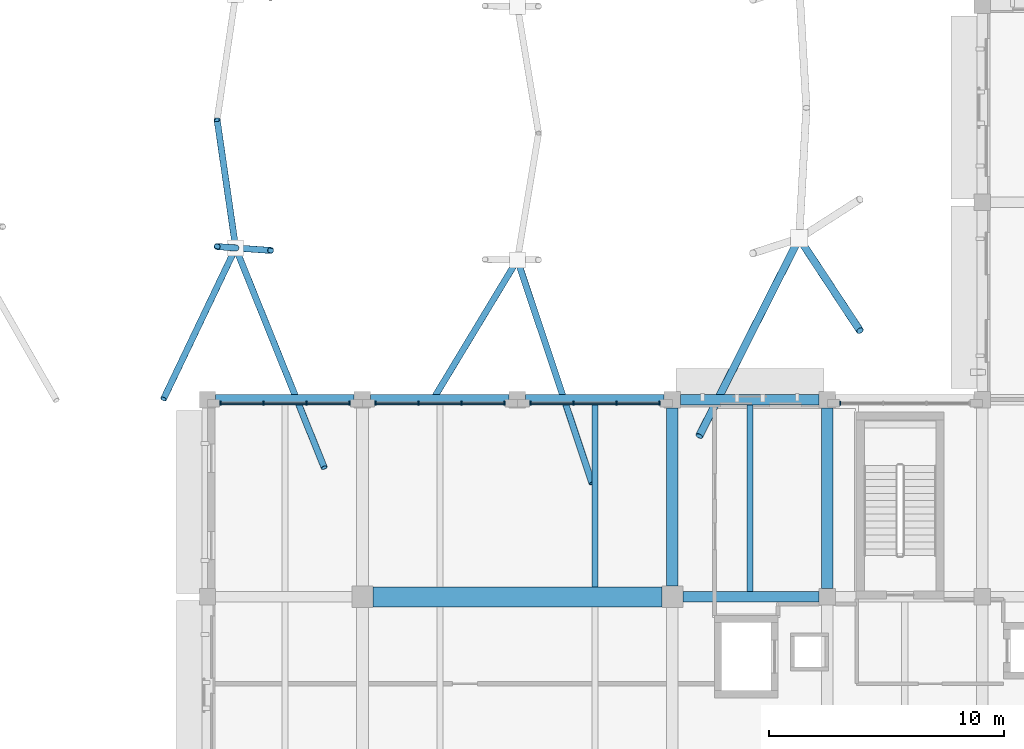
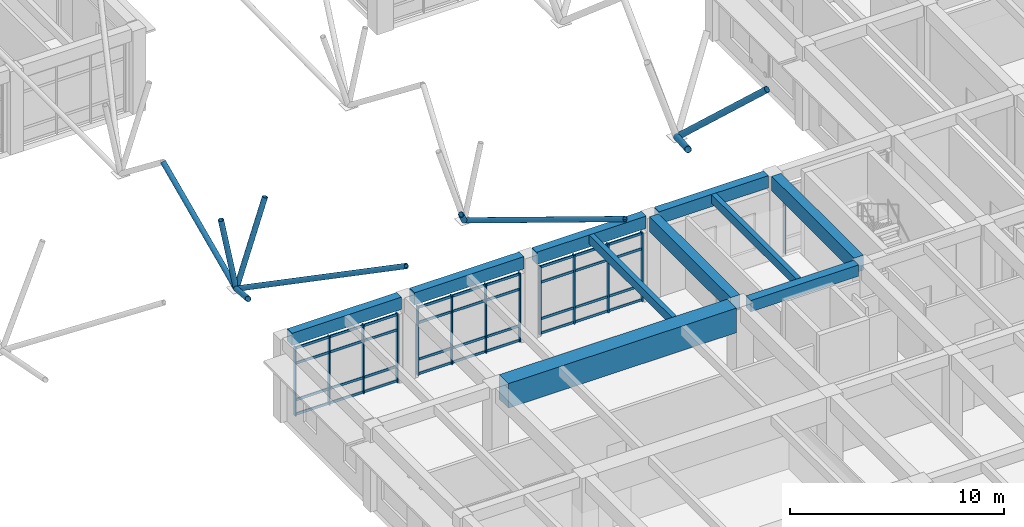
# One storey, part 14 of 75: 34 members, 10 beams, 4 elements without a shape of their own.
"""IFC4 building model written with IfcOpenShell, lengths in metres."""

from ifc_helpers import new_model, si_unit, direction, frame, origin, origin_2d, place, context, subcontext, project, spatial, rectangle, hollow_circle, extrude, material, layer, layer_set, material_profile, profile_set, type_object, element, aggregate, save


model = new_model("IFC4")

# Units and contexts
model_context = context("Model", 3, precision=1e-05, world=origin(), true_north=direction((0.0, 1.0)))
body_context = subcontext(model_context, "Body", "Model", "MODEL_VIEW")
ifc_project = project(units=[si_unit("LENGTHUNIT", "METRE"), si_unit("AREAUNIT", "SQUARE_METRE"), si_unit("VOLUMEUNIT", "CUBIC_METRE"), si_unit("PLANEANGLEUNIT", "RADIAN"), si_unit("MASSUNIT", "GRAM", prefix="KILO")], contexts=[model_context])

# Site, building, storey
site_placement = place(None, origin())
site = spatial("IfcSite", under=ifc_project, at=site_placement, CompositionType="ELEMENT")
building_placement = place(site_placement, origin())
building = spatial("IfcBuilding", under=site, at=building_placement, Name="Kolvaren Faculty of Natural Sciences", CompositionType="ELEMENT")
storey_placement = place(building_placement, frame((0.0, 0.0, 5.39990234375)))
storey = spatial("IfcBuildingStorey", under=building, at=storey_placement, Name="L01", CompositionType="ELEMENT", Elevation=5.39990234375)

# Curtain wall, members
ifc_material_1 = material(Name="Thermally broken anodised aluminium framing", Category="aluminium")
ifc_layer = layer(ifc_material_1, 0.179931640625)
ifc_layer_set = layer_set([ifc_layer], Name="Thermally broken anodised aluminium framing")
curtain_wall_type = type_object("IfcCurtainWallType", Name="CommonsCurtainWall_CW02", PredefinedType="NOTDEFINED", material=ifc_layer_set)
curtain_wall_1_placement = place(storey_placement, origin())
curtain_wall_1 = element("IfcCurtainWall", 1, at=curtain_wall_1_placement, inside=storey, type_object=curtain_wall_type, Name="L01 unitised curtain wall CW-02 (CW-L01-048)", PredefinedType="NOTDEFINED")
ifc_material_profile_1 = material_profile(ifc_material_1, rectangle(XDim=0.06005859375, YDim=0.179931640625, at=origin_2d()), Name="ALU MUL 60x180")
ifc_profile_set_1 = profile_set([ifc_material_profile_1], Name="Thermally broken anodised aluminium framing")
member_type_1 = type_object("IfcMemberType", Name="CurtainMullion_60x180", PredefinedType="MULLION", material=ifc_profile_set_1)
member_1_placement = place(storey_placement, frame((99.75, 42.0400390625, 0.0), z_axis=(0.0, 0.0, 1.0), x_axis=(1.0, 0.0, 0.0)))
member_1 = element("IfcMember", 2, at=member_1_placement, type_object=member_type_1, Name="CW-L01-048 vertical mullion 1", PredefinedType="MULLION", context=body_context, shape_type="SweptSolid", body=[
    extrude(rectangle(XDim=0.06005859375, YDim=0.179931640625, at=origin_2d()), origin(), (0.0, 0.0, 1.0), 3.93505859375),
])
member_2_placement = place(storey_placement, frame((101.583251953125, 42.0400390625, 0.0), z_axis=(0.0, 0.0, 1.0), x_axis=(1.0, 0.0, 0.0)))
member_2 = element("IfcMember", 3, at=member_2_placement, type_object=member_type_1, Name="CW-L01-048 vertical mullion 2", PredefinedType="MULLION", context=body_context, shape_type="SweptSolid", body=[
    extrude(rectangle(XDim=0.06005859375, YDim=0.179931640625, at=origin_2d()), origin(), (0.0, 0.0, 1.0), 3.93505859375),
])
member_3_placement = place(storey_placement, frame((103.416748046875, 42.0400390625, 0.0), z_axis=(0.0, 0.0, 1.0), x_axis=(1.0, 0.0, 0.0)))
member_3 = element("IfcMember", 4, at=member_3_placement, type_object=member_type_1, Name="CW-L01-048 vertical mullion 3", PredefinedType="MULLION", context=body_context, shape_type="SweptSolid", body=[
    extrude(rectangle(XDim=0.06005859375, YDim=0.179931640625, at=origin_2d()), origin(), (0.0, 0.0, 1.0), 3.93505859375),
])
member_4_placement = place(storey_placement, frame((105.25, 42.0400390625, 0.0), z_axis=(0.0, 0.0, 1.0), x_axis=(1.0, 0.0, 0.0)))
member_4 = element("IfcMember", 5, at=member_4_placement, type_object=member_type_1, Name="CW-L01-048 vertical mullion 4", PredefinedType="MULLION", context=body_context, shape_type="SweptSolid", body=[
    extrude(rectangle(XDim=0.06005859375, YDim=0.179931640625, at=origin_2d()), origin(), (0.0, 0.0, 1.0), 3.93505859375),
])

curtain_wall_2_placement = place(storey_placement, origin())
curtain_wall_2 = element("IfcCurtainWall", 6, at=curtain_wall_2_placement, inside=storey, type_object=curtain_wall_type, Name="L01 unitised curtain wall CW-02 (CW-L01-049)", PredefinedType="NOTDEFINED")
member_5_placement = place(storey_placement, frame((106.35009765625, 42.0400390625, 0.0), z_axis=(0.0, 0.0, 1.0), x_axis=(1.0, 0.0, 0.0)))
member_5 = element("IfcMember", 7, at=member_5_placement, type_object=member_type_1, Name="CW-L01-049 vertical mullion 1", PredefinedType="MULLION", context=body_context, shape_type="SweptSolid", body=[
    extrude(rectangle(XDim=0.06005859375, YDim=0.179931640625, at=origin_2d()), origin(), (0.0, 0.0, 1.0), 3.93505859375),
])
member_6_placement = place(storey_placement, frame((108.183349609375, 42.0400390625, 0.0), z_axis=(0.0, 0.0, 1.0), x_axis=(1.0, 0.0, 0.0)))
member_6 = element("IfcMember", 8, at=member_6_placement, type_object=member_type_1, Name="CW-L01-049 vertical mullion 2", PredefinedType="MULLION", context=body_context, shape_type="SweptSolid", body=[
    extrude(rectangle(XDim=0.06005859375, YDim=0.179931640625, at=origin_2d()), origin(), (0.0, 0.0, 1.0), 3.93505859375),
])
member_7_placement = place(storey_placement, frame((110.0166015625, 42.0400390625, 0.0), z_axis=(0.0, 0.0, 1.0), x_axis=(1.0, 0.0, 0.0)))
member_7 = element("IfcMember", 9, at=member_7_placement, type_object=member_type_1, Name="CW-L01-049 vertical mullion 3", PredefinedType="MULLION", context=body_context, shape_type="SweptSolid", body=[
    extrude(rectangle(XDim=0.06005859375, YDim=0.179931640625, at=origin_2d()), origin(), (0.0, 0.0, 1.0), 3.93505859375),
])
member_8_placement = place(storey_placement, frame((111.85009765625, 42.0400390625, 0.0), z_axis=(0.0, 0.0, 1.0), x_axis=(1.0, 0.0, 0.0)))
member_8 = element("IfcMember", 10, at=member_8_placement, type_object=member_type_1, Name="CW-L01-049 vertical mullion 4", PredefinedType="MULLION", context=body_context, shape_type="SweptSolid", body=[
    extrude(rectangle(XDim=0.06005859375, YDim=0.179931640625, at=origin_2d()), origin(), (0.0, 0.0, 1.0), 3.93505859375),
])

curtain_wall_3_placement = place(storey_placement, origin())
curtain_wall_3 = element("IfcCurtainWall", 11, at=curtain_wall_3_placement, inside=storey, type_object=curtain_wall_type, Name="L01 unitised curtain wall CW-02 (CW-L01-050)", PredefinedType="NOTDEFINED")
member_9_placement = place(storey_placement, frame((112.949951171875, 42.0400390625, 0.0), z_axis=(0.0, 0.0, 1.0), x_axis=(1.0, 0.0, 0.0)))
member_9 = element("IfcMember", 12, at=member_9_placement, type_object=member_type_1, Name="CW-L01-050 vertical mullion 1", PredefinedType="MULLION", context=body_context, shape_type="SweptSolid", body=[
    extrude(rectangle(XDim=0.06005859375, YDim=0.179931640625, at=origin_2d()), origin(), (0.0, 0.0, 1.0), 3.93505859375),
])
member_10_placement = place(storey_placement, frame((114.783203125, 42.0400390625, 0.0), z_axis=(0.0, 0.0, 1.0), x_axis=(1.0, 0.0, 0.0)))
member_10 = element("IfcMember", 13, at=member_10_placement, type_object=member_type_1, Name="CW-L01-050 vertical mullion 2", PredefinedType="MULLION", context=body_context, shape_type="SweptSolid", body=[
    extrude(rectangle(XDim=0.06005859375, YDim=0.179931640625, at=origin_2d()), origin(), (0.0, 0.0, 1.0), 3.93505859375),
])
member_11_placement = place(storey_placement, frame((116.61669921875, 42.0400390625, 0.0), z_axis=(0.0, 0.0, 1.0), x_axis=(1.0, 0.0, 0.0)))
member_11 = element("IfcMember", 14, at=member_11_placement, type_object=member_type_1, Name="CW-L01-050 vertical mullion 3", PredefinedType="MULLION", context=body_context, shape_type="SweptSolid", body=[
    extrude(rectangle(XDim=0.06005859375, YDim=0.179931640625, at=origin_2d()), origin(), (0.0, 0.0, 1.0), 3.93505859375),
])
member_12_placement = place(storey_placement, frame((118.449951171875, 42.0400390625, 0.0), z_axis=(0.0, 0.0, 1.0), x_axis=(1.0, 0.0, 0.0)))
member_12 = element("IfcMember", 15, at=member_12_placement, type_object=member_type_1, Name="CW-L01-050 vertical mullion 4", PredefinedType="MULLION", context=body_context, shape_type="SweptSolid", body=[
    extrude(rectangle(XDim=0.06005859375, YDim=0.179931640625, at=origin_2d()), origin(), (0.0, 0.0, 1.0), 3.93505859375),
])

# Curtain wall, member
curtain_wall_4_placement = place(storey_placement, origin())
curtain_wall_4 = element("IfcCurtainWall", 16, at=curtain_wall_4_placement, inside=storey, type_object=curtain_wall_type, Name="L01 unitised curtain wall CW-02 (CW-L01-051)", PredefinedType="NOTDEFINED")
member_13_placement = place(storey_placement, frame((126.14990234375, 42.0400390625, 0.0), z_axis=(0.0, 0.0, 1.0), x_axis=(1.0, 0.0, 0.0)))
member_13 = element("IfcMember", 17, at=member_13_placement, type_object=member_type_1, Name="CW-L01-051 vertical mullion 1", PredefinedType="MULLION", context=body_context, shape_type="SweptSolid", body=[
    extrude(rectangle(XDim=0.06005859375, YDim=0.179931640625, at=origin_2d()), origin(), (0.0, 0.0, 1.0), 3.93505859375),
])
aggregate(curtain_wall_4, [member_13])

# Member
ifc_material_profile_2 = material_profile(ifc_material_1, rectangle(XDim=0.06005859375, YDim=0.139892578125, at=origin_2d()), Name="ALU TRN 60x140")
ifc_profile_set_2 = profile_set([ifc_material_profile_2], Name="Thermally broken anodised aluminium framing")
member_type_2 = type_object("IfcMemberType", Name="CurtainTransom_60x140", PredefinedType="USERDEFINED", material=ifc_profile_set_2)
member_14_placement = place(storey_placement, frame((99.75, 42.0400390625, 0.080078125), z_axis=(1.0, 0.0, 0.0), x_axis=(0.0, 1.0, 0.0)))
member_14 = element("IfcMember", 18, at=member_14_placement, type_object=member_type_2, Name="CW-L01-048 horizontal transom 1", ObjectType="TRANSOM", PredefinedType="USERDEFINED", context=body_context, shape_type="SweptSolid", body=[
    extrude(rectangle(XDim=0.06005859375, YDim=0.139892578125, at=origin_2d()), origin(), (0.0, 0.0, 1.0), 5.5),
])

member_15_placement = place(storey_placement, frame((99.75, 42.0400390625, 0.900146484375), z_axis=(1.0, 0.0, 0.0), x_axis=(0.0, 1.0, 0.0)))
member_15 = element("IfcMember", 19, at=member_15_placement, type_object=member_type_2, Name="CW-L01-048 horizontal transom 2", ObjectType="TRANSOM", PredefinedType="USERDEFINED", context=body_context, shape_type="SweptSolid", body=[
    extrude(rectangle(XDim=0.06005859375, YDim=0.139892578125, at=origin_2d()), origin(), (0.0, 0.0, 1.0), 5.5),
])

member_16_placement = place(storey_placement, frame((99.75, 42.0400390625, 2.985107421875), z_axis=(1.0, 0.0, 0.0), x_axis=(0.0, 1.0, 0.0)))
member_16 = element("IfcMember", 20, at=member_16_placement, type_object=member_type_2, Name="CW-L01-048 horizontal transom 3", ObjectType="TRANSOM", PredefinedType="USERDEFINED", context=body_context, shape_type="SweptSolid", body=[
    extrude(rectangle(XDim=0.06005859375, YDim=0.139892578125, at=origin_2d()), origin(), (0.0, 0.0, 1.0), 5.5),
])

member_17_placement = place(storey_placement, frame((99.75, 42.0400390625, 3.85498046875), z_axis=(1.0, 0.0, 0.0), x_axis=(0.0, 1.0, 0.0)))
member_17 = element("IfcMember", 21, at=member_17_placement, type_object=member_type_2, Name="CW-L01-048 horizontal transom 4", ObjectType="TRANSOM", PredefinedType="USERDEFINED", context=body_context, shape_type="SweptSolid", body=[
    extrude(rectangle(XDim=0.06005859375, YDim=0.139892578125, at=origin_2d()), origin(), (0.0, 0.0, 1.0), 5.5),
])

aggregate(curtain_wall_1, [member_1, member_2, member_3, member_4, member_14, member_15, member_16, member_17])

member_18_placement = place(storey_placement, frame((106.35009765625, 42.0400390625, 0.080078125), z_axis=(1.0, 0.0, 0.0), x_axis=(0.0, 1.0, 0.0)))
member_18 = element("IfcMember", 22, at=member_18_placement, type_object=member_type_2, Name="CW-L01-049 horizontal transom 1", ObjectType="TRANSOM", PredefinedType="USERDEFINED", context=body_context, shape_type="SweptSolid", body=[
    extrude(rectangle(XDim=0.06005859375, YDim=0.139892578125, at=origin_2d()), origin(), (0.0, 0.0, 1.0), 5.5),
])

member_19_placement = place(storey_placement, frame((106.35009765625, 42.0400390625, 0.900146484375), z_axis=(1.0, 0.0, 0.0), x_axis=(0.0, 1.0, 0.0)))
member_19 = element("IfcMember", 23, at=member_19_placement, type_object=member_type_2, Name="CW-L01-049 horizontal transom 2", ObjectType="TRANSOM", PredefinedType="USERDEFINED", context=body_context, shape_type="SweptSolid", body=[
    extrude(rectangle(XDim=0.06005859375, YDim=0.139892578125, at=origin_2d()), origin(), (0.0, 0.0, 1.0), 5.5),
])

member_20_placement = place(storey_placement, frame((106.35009765625, 42.0400390625, 2.985107421875), z_axis=(1.0, 0.0, 0.0), x_axis=(0.0, 1.0, 0.0)))
member_20 = element("IfcMember", 24, at=member_20_placement, type_object=member_type_2, Name="CW-L01-049 horizontal transom 3", ObjectType="TRANSOM", PredefinedType="USERDEFINED", context=body_context, shape_type="SweptSolid", body=[
    extrude(rectangle(XDim=0.06005859375, YDim=0.139892578125, at=origin_2d()), origin(), (0.0, 0.0, 1.0), 5.5),
])

member_21_placement = place(storey_placement, frame((106.35009765625, 42.0400390625, 3.85498046875), z_axis=(1.0, 0.0, 0.0), x_axis=(0.0, 1.0, 0.0)))
member_21 = element("IfcMember", 25, at=member_21_placement, type_object=member_type_2, Name="CW-L01-049 horizontal transom 4", ObjectType="TRANSOM", PredefinedType="USERDEFINED", context=body_context, shape_type="SweptSolid", body=[
    extrude(rectangle(XDim=0.06005859375, YDim=0.139892578125, at=origin_2d()), origin(), (0.0, 0.0, 1.0), 5.5),
])

aggregate(curtain_wall_2, [member_5, member_6, member_7, member_8, member_18, member_19, member_20, member_21])

member_22_placement = place(storey_placement, frame((112.949951171875, 42.0400390625, 0.080078125), z_axis=(1.0, 0.0, 0.0), x_axis=(0.0, 1.0, 0.0)))
member_22 = element("IfcMember", 26, at=member_22_placement, type_object=member_type_2, Name="CW-L01-050 horizontal transom 1", ObjectType="TRANSOM", PredefinedType="USERDEFINED", context=body_context, shape_type="SweptSolid", body=[
    extrude(rectangle(XDim=0.06005859375, YDim=0.139892578125, at=origin_2d()), origin(), (0.0, 0.0, 1.0), 5.5),
])

member_23_placement = place(storey_placement, frame((112.949951171875, 42.0400390625, 0.900146484375), z_axis=(1.0, 0.0, 0.0), x_axis=(0.0, 1.0, 0.0)))
member_23 = element("IfcMember", 27, at=member_23_placement, type_object=member_type_2, Name="CW-L01-050 horizontal transom 2", ObjectType="TRANSOM", PredefinedType="USERDEFINED", context=body_context, shape_type="SweptSolid", body=[
    extrude(rectangle(XDim=0.06005859375, YDim=0.139892578125, at=origin_2d()), origin(), (0.0, 0.0, 1.0), 5.5),
])

member_24_placement = place(storey_placement, frame((112.949951171875, 42.0400390625, 2.985107421875), z_axis=(1.0, 0.0, 0.0), x_axis=(0.0, 1.0, 0.0)))
member_24 = element("IfcMember", 28, at=member_24_placement, type_object=member_type_2, Name="CW-L01-050 horizontal transom 3", ObjectType="TRANSOM", PredefinedType="USERDEFINED", context=body_context, shape_type="SweptSolid", body=[
    extrude(rectangle(XDim=0.06005859375, YDim=0.139892578125, at=origin_2d()), origin(), (0.0, 0.0, 1.0), 5.5),
])

member_25_placement = place(storey_placement, frame((112.949951171875, 42.0400390625, 3.85498046875), z_axis=(1.0, 0.0, 0.0), x_axis=(0.0, 1.0, 0.0)))
member_25 = element("IfcMember", 29, at=member_25_placement, type_object=member_type_2, Name="CW-L01-050 horizontal transom 4", ObjectType="TRANSOM", PredefinedType="USERDEFINED", context=body_context, shape_type="SweptSolid", body=[
    extrude(rectangle(XDim=0.06005859375, YDim=0.139892578125, at=origin_2d()), origin(), (0.0, 0.0, 1.0), 5.5),
])

aggregate(curtain_wall_3, [member_9, member_10, member_11, member_12, member_22, member_23, member_24, member_25])

# Beams
ifc_material_2 = material(Name="Concrete C35/45", Category="concrete")
ifc_material_profile_3 = material_profile(ifc_material_2, rectangle(XDim=0.449951171875, YDim=0.64990234375, at=origin_2d()), Name="RC BM 450x650")
ifc_profile_set_3 = profile_set([ifc_material_profile_3], Name="Concrete C35/45")
beam_type_1 = type_object("IfcBeamType", Name="GridBeam_450x650", PredefinedType="BEAM", material=ifc_profile_set_3)
beam_1_placement = place(storey_placement, frame((119.449951171875, 33.800048828125, 4.47509765625), z_axis=(1.0, 0.0, 0.0), x_axis=(0.0, 1.0, 0.0)))
element("IfcBeam", 30, at=beam_1_placement, inside=storey, type_object=beam_type_1, Name="L01 beam BM-65 on grid E", PredefinedType="BEAM", context=body_context, shape_type="SweptSolid", body=[
    extrude(rectangle(XDim=0.449951171875, YDim=0.64990234375, at=origin_2d()), origin(), (0.0, 0.0, 1.0), 5.800048828125),
])
ifc_material_profile_4 = material_profile(ifc_material_2, rectangle(XDim=0.260009765625, YDim=0.5, at=origin_2d()), Name="RC JST 260x500")
ifc_profile_set_4 = profile_set([ifc_material_profile_4], Name="Concrete C35/45")
beam_type_2 = type_object("IfcBeamType", Name="LabRibJoist_260x500", PredefinedType="JOIST", material=ifc_profile_set_4)
beam_2_placement = place(storey_placement, frame((115.699951171875, 34.22509765625, 4.550048828125), z_axis=(0.0, 1.0, 0.0), x_axis=(-1.0, 0.0, 0.0)))
element("IfcBeam", 31, at=beam_2_placement, inside=storey, type_object=beam_type_2, Name="L01 ribbed laboratory slab joist JS-50", PredefinedType="JOIST", context=body_context, shape_type="SweptSolid", body=[
    extrude(rectangle(XDim=0.260009765625, YDim=0.5, at=origin_2d()), origin(), (0.0, 0.0, 1.0), 7.75),
])
beam_3_placement = place(storey_placement, frame((122.300048828125, 34.02490234375, 4.550048828125), z_axis=(0.0, 1.0, 0.0), x_axis=(-1.0, 0.0, 0.0)))
element("IfcBeam", 32, at=beam_3_placement, inside=storey, type_object=beam_type_2, Name="L01 ribbed laboratory slab joist JS-50", PredefinedType="JOIST", context=body_context, shape_type="SweptSolid", body=[
    extrude(rectangle(XDim=0.260009765625, YDim=0.5, at=origin_2d()), origin(), (0.0, 0.0, 1.0), 7.9501953125),
])
ifc_material_profile_5 = material_profile(ifc_material_2, rectangle(XDim=0.449951171875, YDim=0.699951171875, at=origin_2d()), Name="RC SP 450x700")
ifc_profile_set_5 = profile_set([ifc_material_profile_5], Name="Concrete C35/45")
beam_type_3 = type_object("IfcBeamType", Name="PerimeterSpandrel_450x700", PredefinedType="SPANDREL", material=ifc_profile_set_5)
beam_4_placement = place(storey_placement, frame((99.550048828125, 42.199951171875, 4.4501953125), z_axis=(1.0, 0.0, 0.0), x_axis=(0.0, 1.0, 0.0)))
element("IfcBeam", 33, at=beam_4_placement, inside=storey, type_object=beam_type_3, Name="L01 spandrel SP-70 on grid F", PredefinedType="SPANDREL", context=body_context, shape_type="SweptSolid", body=[
    extrude(rectangle(XDim=0.449951171875, YDim=0.699951171875, at=origin_2d()), origin(), (0.0, 0.0, 1.0), 5.89990234375),
])
beam_5_placement = place(storey_placement, frame((106.14990234375, 42.199951171875, 4.4501953125), z_axis=(1.0, 0.0, 0.0), x_axis=(0.0, 1.0, 0.0)))
element("IfcBeam", 34, at=beam_5_placement, inside=storey, type_object=beam_type_3, Name="L01 spandrel SP-70 on grid F", PredefinedType="SPANDREL", context=body_context, shape_type="SweptSolid", body=[
    extrude(rectangle(XDim=0.449951171875, YDim=0.699951171875, at=origin_2d()), origin(), (0.0, 0.0, 1.0), 5.900146484375),
])
for number, where, z_axis, x_axis, name in (
    (35, (112.75, 42.199951171875, 4.4501953125), (1.0, 0.0, 0.0), (0.0, 1.0, 0.0), "L01 spandrel SP-70 on grid F"),
    (36, (119.35009765625, 42.199951171875, 4.4501953125), (1.0, 0.0, 0.0), (0.0, 1.0, 0.0), "L01 spandrel SP-70 on grid F"),
):
    element("IfcBeam", number, at=place(storey_placement, frame(where, z_axis=z_axis, x_axis=x_axis)), inside=storey, type_object=beam_type_3, Name=name, PredefinedType="SPANDREL", context=body_context, shape_type="SweptSolid", body=[
        extrude(rectangle(XDim=0.449951171875, YDim=0.699951171875, at=origin_2d()), origin(), (0.0, 0.0, 1.0), 5.89990234375),
    ])
ifc_material_profile_6 = material_profile(ifc_material_2, rectangle(XDim=0.5, YDim=0.85009765625, at=origin_2d()), Name="RC BM 500x850")
ifc_profile_set_6 = profile_set([ifc_material_profile_6], Name="Concrete C35/45")
beam_type_4 = type_object("IfcBeamType", Name="PrimaryGirder_500x850", PredefinedType="BEAM", material=ifc_profile_set_6)
beam_6_placement = place(storey_placement, frame((119.0, 34.25, 4.375), z_axis=(0.0, 1.0, 0.0), x_axis=(-1.0, 0.0, 0.0)))
element("IfcBeam", 37, at=beam_6_placement, inside=storey, type_object=beam_type_4, Name="L01 girder BG-85 on grid 19", PredefinedType="BEAM", context=body_context, shape_type="SweptSolid", body=[
    extrude(rectangle(XDim=0.5, YDim=0.85009765625, at=origin_2d()), origin(), (0.0, 0.0, 1.0), 7.60009765625),
])
beam_7_placement = place(storey_placement, frame((125.60009765625, 34.14990234375, 4.375), z_axis=(0.0, 1.0, 0.0), x_axis=(-1.0, 0.0, 0.0)))
element("IfcBeam", 38, at=beam_7_placement, inside=storey, type_object=beam_type_4, Name="L01 girder BG-85 on grid 20", PredefinedType="BEAM", context=body_context, shape_type="SweptSolid", body=[
    extrude(rectangle(XDim=0.5, YDim=0.85009765625, at=origin_2d()), origin(), (0.0, 0.0, 1.0), 7.7001953125),
])
ifc_material_3 = material(Name="Concrete C40/50", Category="concrete")
ifc_material_profile_7 = material_profile(ifc_material_3, rectangle(XDim=0.85009765625, YDim=1.39990234375, at=origin_2d()), Name="RC TG 850x1400")
ifc_profile_set_7 = profile_set([ifc_material_profile_7], Name="Concrete C40/50")
beam_type_5 = type_object("IfcBeamType", Name="TransferGirder_850x1400", PredefinedType="BEAM", material=ifc_profile_set_7)
beam_8_placement = place(storey_placement, frame((106.25, 33.800048828125, 4.10009765625), z_axis=(1.0, 0.0, 0.0), x_axis=(0.0, 1.0, 0.0)))
element("IfcBeam", 39, at=beam_8_placement, inside=storey, type_object=beam_type_5, Name="L02 reinforced concrete transfer girder TG-1 TG-V5-S.3", PredefinedType="BEAM", context=body_context, shape_type="SweptSolid", body=[
    extrude(rectangle(XDim=0.85009765625, YDim=1.39990234375, at=origin_2d()), origin(), (0.0, 0.0, 1.0), 12.300048828125),
])

# Members
ifc_material_4 = material(Name="Structural steel EN 10210-1 S355J2H (white architectural finish)", Category="steel")
ifc_material_profile_8 = material_profile(ifc_material_4, hollow_circle(Radius=0.161865234375, WallThickness=0.012451171875, at=origin_2d()), Name="CHS 323.9x12.5")
ifc_profile_set_8 = profile_set([ifc_material_profile_8], Name="Structural steel EN 10210-1 S355J2H (white architectural finish)")
member_type_3 = type_object("IfcMemberType", Name="TreeBranchPortal_CHS324", PredefinedType="STRUT", material=ifc_profile_set_8)
member_26_placement = place(storey_placement, frame((124.39990234375, 49.069580078125, 3.0), z_axis=(-0.382559847616, -0.757370147073, 0.529186567587), x_axis=(0.892593095358, -0.450863134575, 0.0)))
element("IfcMember", 40, at=member_26_placement, inside=storey, type_object=member_type_3, Name="Covered street canopy tree TREE-13 inclined branch 1", PredefinedType="STRUT", context=body_context, shape_type="SweptSolid", body=[
    extrude(hollow_circle(Radius=0.161865234375, WallThickness=0.012451171875, at=origin_2d()), origin(), (0.0, 0.0, 1.0), 11.120849609375),
])
member_27_placement = place(storey_placement, frame((124.39990234375, 49.069580078125, 3.0), z_axis=(0.410907046966, -0.624045960897, 0.664621725075), x_axis=(0.835201631761, 0.5499438465, 0.0)))
element("IfcMember", 41, at=member_27_placement, inside=storey, type_object=member_type_3, Name="Covered street canopy tree TREE-13 inclined branch 5", PredefinedType="STRUT", context=body_context, shape_type="SweptSolid", body=[
    extrude(hollow_circle(Radius=0.161865234375, WallThickness=0.012451171875, at=origin_2d()), origin(), (0.0, 0.0, 1.0), 6.3056640625),
])
ifc_material_profile_9 = material_profile(ifc_material_4, hollow_circle(Radius=0.136474609375, WallThickness=0.012451171875, at=origin_2d()), Name="CHS 273x12.5")
ifc_profile_set_9 = profile_set([ifc_material_profile_9], Name="Structural steel EN 10210-1 S355J2H (white architectural finish)")
member_type_4 = type_object("IfcMemberType", Name="TreeBranchPrimary_CHS273", PredefinedType="STRUT", material=ifc_profile_set_9)
member_28_placement = place(storey_placement, frame((100.39990234375, 48.6591796875, 3.0), z_axis=(-0.366887768168, -0.768234125288, 0.524604321667), x_axis=(0.902375731479, -0.430950158647, 0.0)))
element("IfcMember", 42, at=member_28_placement, inside=storey, type_object=member_type_4, Name="Covered street canopy tree TREE-09 inclined branch 1", PredefinedType="STRUT", context=body_context, shape_type="SweptSolid", body=[
    extrude(hollow_circle(Radius=0.136474609375, WallThickness=0.012451171875, at=origin_2d()), origin(), (0.0, 0.0, 1.0), 8.37451171875),
])
member_29_placement = place(storey_placement, frame((100.39990234375, 48.6591796875, 3.0), z_axis=(-0.186392402611, 0.014213931289, 0.982372554791), x_axis=(-0.076037334949, -0.997104971251, 0.0)))
element("IfcMember", 43, at=member_29_placement, inside=storey, type_object=member_type_4, Name="Covered street canopy tree TREE-09 inclined branch 2", PredefinedType="STRUT", context=body_context, shape_type="SweptSolid", body=[
    extrude(hollow_circle(Radius=0.136474609375, WallThickness=0.012451171875, at=origin_2d()), origin(), (0.0, 0.0, 1.0), 4.242431640625),
])
member_30_placement = place(storey_placement, frame((100.39990234375, 48.6591796875, 3.0), z_axis=(-0.114115060625, 0.787954100304, 0.605067011787), x_axis=(-0.989675068183, -0.143329199457, 0.0)))
element("IfcMember", 44, at=member_30_placement, inside=storey, type_object=member_type_4, Name="Covered street canopy tree TREE-09 inclined branch 3", PredefinedType="STRUT", context=body_context, shape_type="SweptSolid", body=[
    extrude(hollow_circle(Radius=0.136474609375, WallThickness=0.012451171875, at=origin_2d()), origin(), (0.0, 0.0, 1.0), 6.9296875),
])
member_31_placement = place(storey_placement, frame((100.39990234375, 48.6591796875, 3.0), z_axis=(0.297547655829, -0.021194241082, 0.954471684575), x_axis=(0.071049722798, 0.997472775012, 0.0)))
element("IfcMember", 45, at=member_31_placement, inside=storey, type_object=member_type_4, Name="Covered street canopy tree TREE-09 inclined branch 4", PredefinedType="STRUT", context=body_context, shape_type="SweptSolid", body=[
    extrude(hollow_circle(Radius=0.136474609375, WallThickness=0.012451171875, at=origin_2d()), origin(), (0.0, 0.0, 1.0), 5.0107421875),
])
member_32_placement = place(storey_placement, frame((100.39990234375, 48.6591796875, 3.0), z_axis=(0.326300539916, -0.809300510797, 0.488426699592), x_axis=(0.92745351933, 0.373938456811, 0.0)))
element("IfcMember", 46, at=member_32_placement, inside=storey, type_object=member_type_4, Name="Covered street canopy tree TREE-09 inclined branch 5", PredefinedType="STRUT", context=body_context, shape_type="SweptSolid", body=[
    extrude(hollow_circle(Radius=0.136474609375, WallThickness=0.012451171875, at=origin_2d()), origin(), (0.0, 0.0, 1.0), 11.56201171875),
])
member_33_placement = place(storey_placement, frame((112.39990234375, 48.152587890625, 3.0), z_axis=(-0.414327996456, -0.685908042648, 0.598216071653), x_axis=(0.855956842635, -0.517047273995, 0.0)))
element("IfcMember", 47, at=member_33_placement, inside=storey, type_object=member_type_4, Name="Covered street canopy tree TREE-11 inclined branch 1", PredefinedType="STRUT", context=body_context, shape_type="SweptSolid", body=[
    extrude(hollow_circle(Radius=0.136474609375, WallThickness=0.012451171875, at=origin_2d()), origin(), (0.0, 0.0, 1.0), 8.84228515625),
])
member_34_placement = place(storey_placement, frame((112.39990234375, 48.152587890625, 3.0), z_axis=(0.286790055785, -0.857685567739, 0.426763319412), x_axis=(0.948386030392, 0.317118175696, 0.0)))
element("IfcMember", 48, at=member_34_placement, inside=storey, type_object=member_type_4, Name="Covered street canopy tree TREE-11 inclined branch 5", PredefinedType="STRUT", context=body_context, shape_type="SweptSolid", body=[
    extrude(hollow_circle(Radius=0.136474609375, WallThickness=0.012451171875, at=origin_2d()), origin(), (0.0, 0.0, 1.0), 11.0947265625),
])

save(model, "model.ifc")
